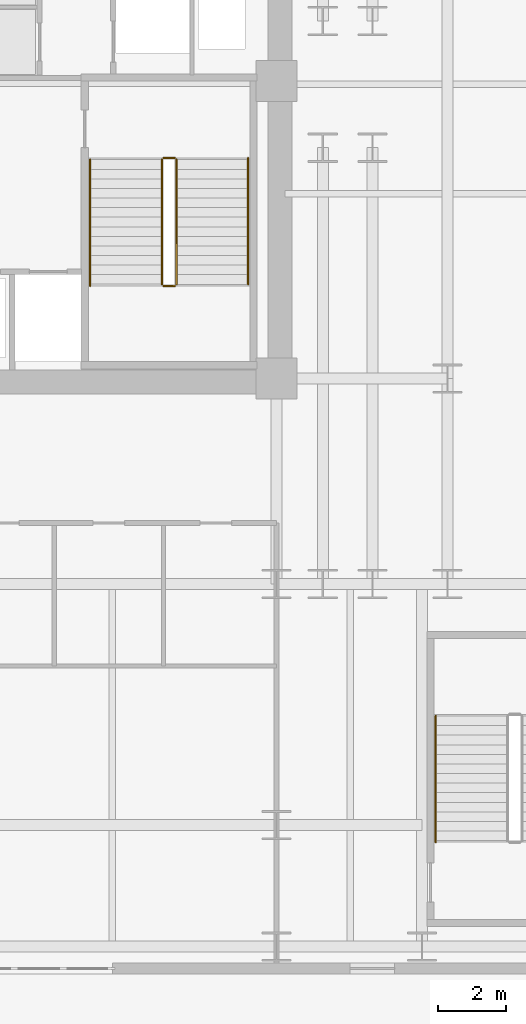
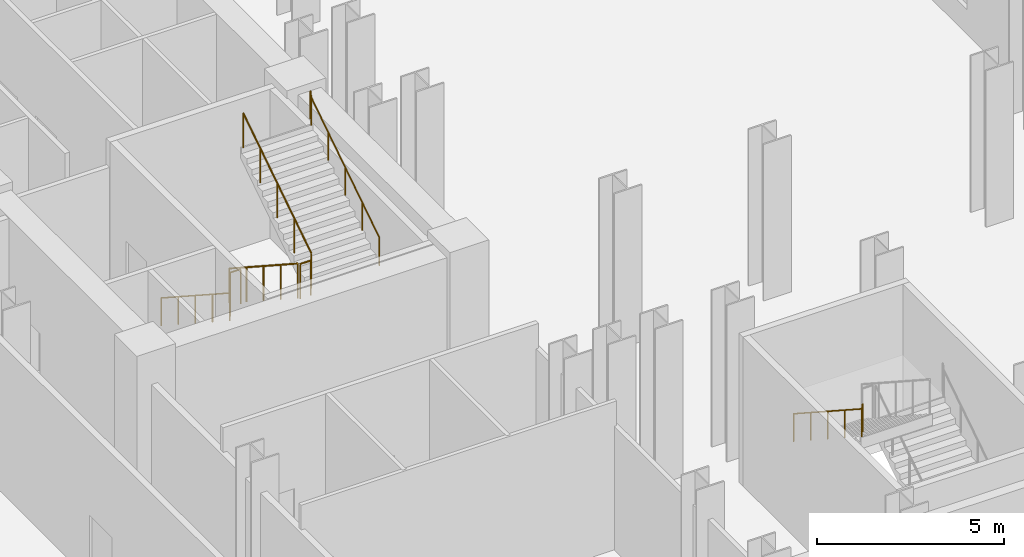
# One storey, part 17 of 21: 7 railings.
"""IFC4 building model written with IfcOpenShell, lengths in metres."""

from ifc_helpers import new_model, si_unit, direction, frame, origin, origin_2d, place, context, subcontext, project, spatial, circle, extrude, material, type_object, element, save


model = new_model("IFC4")

# Units and contexts
model_context = context("Model", 3, precision=1e-05, world=origin(), true_north=direction((0.0, 1.0)))
body_context = subcontext(model_context, "Body", "Model", "MODEL_VIEW")
ifc_project = project(units=[si_unit("LENGTHUNIT", "METRE"), si_unit("AREAUNIT", "SQUARE_METRE"), si_unit("VOLUMEUNIT", "CUBIC_METRE"), si_unit("PLANEANGLEUNIT", "RADIAN"), si_unit("MASSUNIT", "GRAM", prefix="KILO")], contexts=[model_context])

# Site, building, storey
site_placement = place(None, origin())
site = spatial("IfcSite", under=ifc_project, at=site_placement, CompositionType="ELEMENT")
building_placement = place(site_placement, origin())
building = spatial("IfcBuilding", under=site, at=building_placement, Name="Velakula Bourse", CompositionType="ELEMENT")
storey_placement = place(building_placement, origin())
storey = spatial("IfcBuildingStorey", under=building, at=storey_placement, Name="L00", CompositionType="ELEMENT", Elevation=0.0)

# Railings
ifc_material = material(Name="Brushed grade 316 stainless steel", Category="steel")
railing_type_1 = type_object("IfcRailingType", Name="RLG-STAIR-GUARD-1150", PredefinedType="BALUSTRADE", material=ifc_material)
railing_1_placement = place(storey_placement, frame((15.248046875, -2.199951171875, 0.18212890625)))
element("IfcRailing", 1, at=railing_1_placement, inside=storey, type_object=railing_type_1, Name="L00 ST-E1 stair guard 1", PredefinedType="BALUSTRADE", context=body_context, shape_type="SweptSolid", body=[
    extrude(circle(Radius=0.02490234375, at=origin_2d()), frame((0.0, 0.0, 1.125), z_axis=(0.0, -0.83825089185, 0.545284735081), x_axis=(1.0, 0.0, 0.0)), (0.0, 0.0, 1.0), 4.342529296875),
    extrude(circle(Radius=0.02099609375, at=origin_2d()), origin(), (0.0, 0.0, 1.0), 1.099853515625),
    extrude(circle(Radius=0.02099609375, at=origin_2d()), frame((0.0, -0.91015625, 0.592041015625)), (0.0, 0.0, 1.0), 1.099853515625),
    extrude(circle(Radius=0.02099609375, at=origin_2d()), frame((0.0, -1.820068359375, 1.18408203125)), (0.0, 0.0, 1.0), 1.099853515625),
    extrude(circle(Radius=0.02099609375, at=origin_2d()), frame((0.0, -2.72998046875, 1.77587890625)), (0.0, 0.0, 1.0), 1.099853515625),
    extrude(circle(Radius=0.02099609375, at=origin_2d()), frame((0.0, -3.64013671875, 2.367919921875)), (0.0, 0.0, 1.0), 1.099853515625),
])
railing_2_placement = place(storey_placement, frame((15.298095703125, -5.889892578125, 2.550048828125)))
element("IfcRailing", 2, at=railing_2_placement, inside=storey, type_object=railing_type_1, Name="L00 ST-E1 stair guard 2", PredefinedType="BALUSTRADE", context=body_context, shape_type="SweptSolid", body=[
    extrude(circle(Radius=0.02490234375, at=origin_2d()), frame((0.0, 0.0, 1.125), z_axis=(1.0, 0.0, 0.0), x_axis=(0.0, 1.0, 0.0)), (0.0, 0.0, 1.0), 0.323974609375),
    extrude(circle(Radius=0.02099609375, at=origin_2d()), origin(), (0.0, 0.0, 1.0), 1.099853515625),
    extrude(circle(Radius=0.02099609375, at=origin_2d()), frame((0.323974609375, 0.0, 0.0)), (0.0, 0.0, 1.0), 1.099853515625),
])
railing_3_placement = place(storey_placement, frame((15.672119140625, -5.840087890625, 2.732177734375)))
element("IfcRailing", 3, at=railing_3_placement, inside=storey, type_object=railing_type_1, Name="L00 ST-E1 stair guard 3", PredefinedType="BALUSTRADE", context=body_context, shape_type="SweptSolid", body=[
    extrude(circle(Radius=0.02490234375, at=origin_2d()), frame((0.0, 0.0, 1.125), z_axis=(0.0, 0.83825089185, 0.545284735081), x_axis=(-1.0, 0.0, 0.0)), (0.0, 0.0, 1.0), 4.342529296875),
    extrude(circle(Radius=0.02099609375, at=origin_2d()), origin(), (0.0, 0.0, 1.0), 1.099853515625),
    extrude(circle(Radius=0.02099609375, at=origin_2d()), frame((0.0, 0.91015625, 0.592041015625)), (0.0, 0.0, 1.0), 1.099853515625),
    extrude(circle(Radius=0.02099609375, at=origin_2d()), frame((0.0, 1.820068359375, 1.18408203125)), (0.0, 0.0, 1.0), 1.099853515625),
    extrude(circle(Radius=0.02099609375, at=origin_2d()), frame((0.0, 2.72998046875, 1.77587890625)), (0.0, 0.0, 1.0), 1.099853515625),
    extrude(circle(Radius=0.02099609375, at=origin_2d()), frame((0.0, 3.64013671875, 2.367919921875)), (0.0, 0.0, 1.0), 1.099853515625),
])
railing_4_placement = place(storey_placement, frame((15.298095703125, -2.14990234375, 0.0)))
element("IfcRailing", 4, at=railing_4_placement, inside=storey, type_object=railing_type_1, Name="L00 ST-E1 stair guard 4", PredefinedType="BALUSTRADE", context=body_context, shape_type="SweptSolid", body=[
    extrude(circle(Radius=0.02490234375, at=origin_2d()), frame((0.0, 0.0, 1.125), z_axis=(1.0, 0.0, 0.0), x_axis=(0.0, 1.0, 0.0)), (0.0, 0.0, 1.0), 0.323974609375),
    extrude(circle(Radius=0.02099609375, at=origin_2d()), origin(), (0.0, 0.0, 1.0), 1.099853515625),
    extrude(circle(Radius=0.02099609375, at=origin_2d()), frame((0.323974609375, 0.0, 0.0)), (0.0, 0.0, 1.0), 1.099853515625),
])
railing_type_2 = type_object("IfcRailingType", Name="RLG-STAIR-HAND-920", PredefinedType="HANDRAIL", material=ifc_material)
railing_5_placement = place(storey_placement, frame((13.14990234375, -2.199951171875, 0.18212890625)))
element("IfcRailing", 5, at=railing_5_placement, inside=storey, type_object=railing_type_2, Name="L00 ST-E1 stair handrail 1", PredefinedType="HANDRAIL", context=body_context, shape_type="SweptSolid", body=[
    extrude(circle(Radius=0.02099609375, at=origin_2d()), frame((0.0, 0.0, 0.89892578125), z_axis=(0.0, -0.83825089185, 0.545284735081), x_axis=(1.0, 0.0, 0.0)), (0.0, 0.0, 1.0), 4.342529296875),
    extrude(circle(Radius=0.02099609375, at=origin_2d()), frame((0.0, -3.64013671875, 3.266845703125), z_axis=(0.0, -0.213462538514, 0.976951249885), x_axis=(1.0, 0.0, 0.0)), (0.0, 0.0, 1.0), 0.1865234375),
    extrude(circle(Radius=0.02099609375, at=origin_2d()), frame((0.0, -3.679931640625, 3.448974609375), z_axis=(0.0, -1.0, 0.0), x_axis=(1.0, 0.0, 0.0)), (0.0, 0.0, 1.0), 0.005126953125),
    extrude(circle(Radius=0.02099609375, at=origin_2d()), origin(), (0.0, 0.0, 1.0), 0.8779296875),
    extrude(circle(Radius=0.02099609375, at=origin_2d()), frame((0.0, -0.91015625, 0.592041015625)), (0.0, 0.0, 1.0), 0.8779296875),
    extrude(circle(Radius=0.02099609375, at=origin_2d()), frame((0.0, -1.820068359375, 1.18408203125)), (0.0, 0.0, 1.0), 0.8779296875),
    extrude(circle(Radius=0.02099609375, at=origin_2d()), frame((0.0, -2.72998046875, 1.77587890625)), (0.0, 0.0, 1.0), 0.8779296875),
    extrude(circle(Radius=0.02099609375, at=origin_2d()), frame((0.0, -3.64013671875, 2.367919921875)), (0.0, 0.0, 1.0), 0.8779296875),
    extrude(circle(Radius=0.02099609375, at=origin_2d()), frame((0.0, -3.679931640625, 2.550048828125)), (0.0, 0.0, 1.0), 0.8779296875),
    extrude(circle(Radius=0.02099609375, at=origin_2d()), frame((0.0, -3.68505859375, 2.550048828125)), (0.0, 0.0, 1.0), 0.8779296875),
])
railing_6_placement = place(storey_placement, frame((17.77001953125, -5.840087890625, 2.732177734375)))
element("IfcRailing", 6, at=railing_6_placement, inside=storey, type_object=railing_type_2, Name="L00 ST-E1 stair handrail 2", PredefinedType="HANDRAIL", context=body_context, shape_type="SweptSolid", body=[
    extrude(circle(Radius=0.02099609375, at=origin_2d()), frame((0.0, 0.0, 0.89892578125), z_axis=(0.0, 0.83825089185, 0.545284735081), x_axis=(-1.0, 0.0, 0.0)), (0.0, 0.0, 1.0), 4.342529296875),
    extrude(circle(Radius=0.02099609375, at=origin_2d()), frame((0.0, 3.64013671875, 3.266845703125), z_axis=(0.0, 0.214711926762, 0.976677422953), x_axis=(-1.0, 0.0, 0.0)), (0.0, 0.0, 1.0), 0.1865234375),
    extrude(circle(Radius=0.02099609375, at=origin_2d()), frame((0.0, 3.68017578125, 3.448974609375), z_axis=(0.0, 1.0, 0.0), x_axis=(-1.0, 0.0, 0.0)), (0.0, 0.0, 1.0), 0.0048828125),
    extrude(circle(Radius=0.02099609375, at=origin_2d()), origin(), (0.0, 0.0, 1.0), 0.8779296875),
    extrude(circle(Radius=0.02099609375, at=origin_2d()), frame((0.0, 0.91015625, 0.592041015625)), (0.0, 0.0, 1.0), 0.8779296875),
    extrude(circle(Radius=0.02099609375, at=origin_2d()), frame((0.0, 1.820068359375, 1.18408203125)), (0.0, 0.0, 1.0), 0.8779296875),
    extrude(circle(Radius=0.02099609375, at=origin_2d()), frame((0.0, 2.72998046875, 1.77587890625)), (0.0, 0.0, 1.0), 0.8779296875),
    extrude(circle(Radius=0.02099609375, at=origin_2d()), frame((0.0, 3.64013671875, 2.367919921875)), (0.0, 0.0, 1.0), 0.8779296875),
    extrude(circle(Radius=0.02099609375, at=origin_2d()), frame((0.0, 3.68017578125, 2.550048828125)), (0.0, 0.0, 1.0), 0.8779296875),
    extrude(circle(Radius=0.02099609375, at=origin_2d()), frame((0.0, 3.68505859375, 2.550048828125)), (0.0, 0.0, 1.0), 0.8779296875),
])
railing_7_placement = place(storey_placement, frame((23.25, -18.4599609375, 2.732177734375)))
element("IfcRailing", 7, at=railing_7_placement, inside=storey, type_object=railing_type_2, Name="L00 ST-P2 stair handrail 2", PredefinedType="HANDRAIL", context=body_context, shape_type="SweptSolid", body=[
    extrude(circle(Radius=0.02099609375, at=origin_2d()), frame((0.0, 0.0, 0.89892578125), z_axis=(0.0, -0.83825089185, 0.545284735081), x_axis=(1.0, 0.0, 0.0)), (0.0, 0.0, 1.0), 4.342529296875),
    extrude(circle(Radius=0.02099609375, at=origin_2d()), frame((0.0, -3.64013671875, 3.266845703125), z_axis=(0.0, -0.213462538514, 0.976951249885), x_axis=(1.0, 0.0, 0.0)), (0.0, 0.0, 1.0), 0.1865234375),
    extrude(circle(Radius=0.02099609375, at=origin_2d()), frame((0.0, -3.679931640625, 3.448974609375), z_axis=(0.0, -1.0, 0.0), x_axis=(1.0, 0.0, 0.0)), (0.0, 0.0, 1.0), 0.005126953125),
    extrude(circle(Radius=0.02099609375, at=origin_2d()), origin(), (0.0, 0.0, 1.0), 0.8779296875),
    extrude(circle(Radius=0.02099609375, at=origin_2d()), frame((0.0, -0.91015625, 0.592041015625)), (0.0, 0.0, 1.0), 0.8779296875),
    extrude(circle(Radius=0.02099609375, at=origin_2d()), frame((0.0, -1.820068359375, 1.18408203125)), (0.0, 0.0, 1.0), 0.8779296875),
    extrude(circle(Radius=0.02099609375, at=origin_2d()), frame((0.0, -2.72998046875, 1.77587890625)), (0.0, 0.0, 1.0), 0.8779296875),
    extrude(circle(Radius=0.02099609375, at=origin_2d()), frame((0.0, -3.64013671875, 2.367919921875)), (0.0, 0.0, 1.0), 0.8779296875),
    extrude(circle(Radius=0.02099609375, at=origin_2d()), frame((0.0, -3.679931640625, 2.550048828125)), (0.0, 0.0, 1.0), 0.8779296875),
    extrude(circle(Radius=0.02099609375, at=origin_2d()), frame((0.0, -3.68505859375, 2.550048828125)), (0.0, 0.0, 1.0), 0.8779296875),
])

save(model, "model.ifc")
